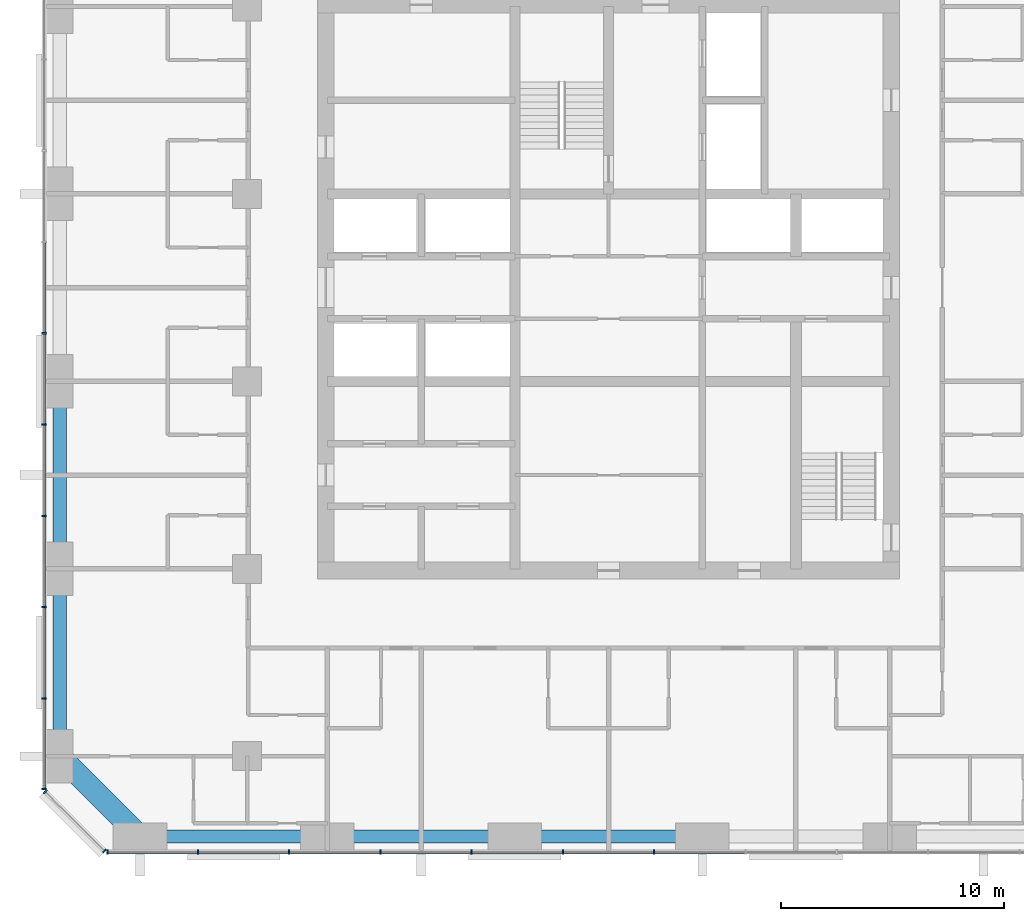
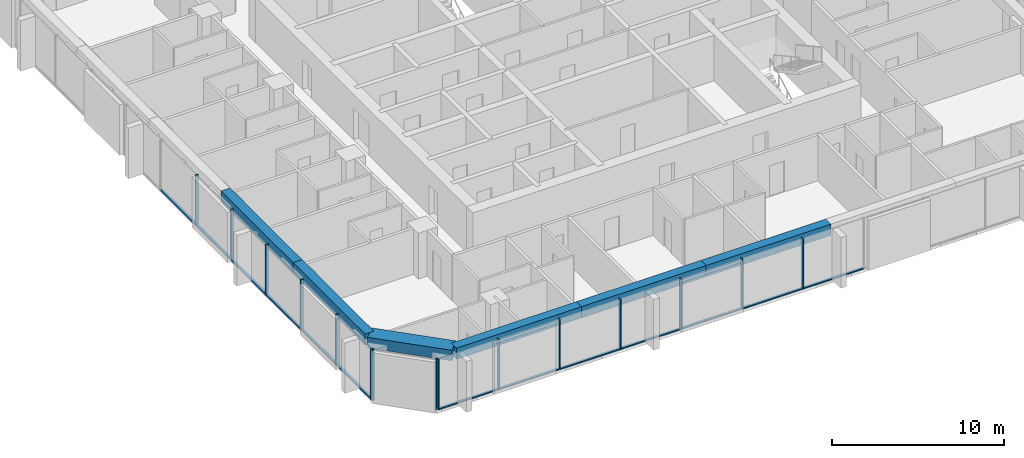
# One storey, part 2 of 13: 28 members, 6 beams, 3 elements without a shape of their own.
"""IFC4 building model written with IfcOpenShell, lengths in metres."""

import ifcopenshell
import ifcopenshell.guid

model = None  # the IFC model being written
_history = None  # IfcOwnerHistory: only IFC2X3 demands one
_inside = {}  # id of a spatial element -> (the spatial element, [elements in it])
_under = {}  # id of a project, library or spatial element -> (it, [spatial elements below it])
_declared = {}  # id of a project -> (the project, [libraries it declares])
_typed = {}  # id of a type object -> (the type object, [elements of that type])
_made_of = {}  # id of a material, layer set ... -> (it, [elements and type objects made of it])


def new_model(schema):
    """Start an empty IFC model of exactly this schema.

    Asked for "IFC4X3", IfcOpenShell would pick the latest addendum, in which some entities
    have other attributes; the version numbers below select the first issue.
    IFC2X3 requires an IfcOwnerHistory on every rooted entity: one is made here for all.
    """
    global model, _history
    if schema == "IFC4X3":
        model = ifcopenshell.file(schema_version=(4, 3, 0, 0))
    else:
        model = ifcopenshell.file(schema=schema)
    _inside.clear()
    _under.clear()
    _declared.clear()
    _typed.clear()
    _made_of.clear()
    _history = None
    if model.schema == "IFC2X3":
        org = make("IfcOrganization", Name="unknown")
        user = make(
            "IfcPersonAndOrganization",
            ThePerson=make("IfcPerson", FamilyName="unknown"),
            TheOrganization=org,
        )
        app = make(
            "IfcApplication",
            ApplicationDeveloper=org,
            Version="unknown",
            ApplicationFullName="unknown",
            ApplicationIdentifier="unknown",
        )
        _history = make(
            "IfcOwnerHistory",
            OwningUser=user,
            OwningApplication=app,
            ChangeAction="ADDED",
            CreationDate=0,
        )
    return model


def make(cls, **values):
    """One entity of the class cls with the attributes given. An attribute that is None is left unset."""
    return model.create_entity(
        cls, **{name: value for name, value in values.items() if value is not None}
    )


def rooted(cls, **values):
    """An entity with a GlobalId (a new one), such as an element, a storey or a relation."""
    return make(cls, GlobalId=ifcopenshell.guid.new(), OwnerHistory=_history, **values)


def si_unit(unit_type, name, prefix=None):
    """IfcSIUnit, for example si_unit("LENGTHUNIT", "METRE", prefix="MILLI")."""
    return make("IfcSIUnit", UnitType=unit_type, Prefix=prefix, Name=name)


def assignment(units):
    """IfcUnitAssignment: the units of a project."""
    return None if units is None else make("IfcUnitAssignment", Units=units)


def point(xyz):
    """IfcCartesianPoint."""
    return None if xyz is None else make("IfcCartesianPoint", Coordinates=xyz)


def direction(xyz):
    """IfcDirection."""
    return None if xyz is None else make("IfcDirection", DirectionRatios=xyz)


def frame(location, z_axis=None, x_axis=None):
    """IfcAxis2Placement3D, a coordinate frame: its origin and axes. An axis left out is left unset."""
    return make(
        "IfcAxis2Placement3D",
        Location=point(location),
        Axis=direction(z_axis),
        RefDirection=direction(x_axis),
    )


def frame_2d(location, x_axis=None):
    """IfcAxis2Placement2D, a coordinate frame in the plane: its origin and x axis."""
    return make(
        "IfcAxis2Placement2D", Location=point(location), RefDirection=direction(x_axis)
    )


def origin():
    """The frame at (0, 0, 0) with its axes left unset."""
    return frame((0.0, 0.0, 0.0))


def origin_2d():
    """The frame at (0, 0) in the plane with its x axis left unset."""
    return frame_2d((0.0, 0.0))


def place(relative_to, where):
    """IfcLocalPlacement: puts the frame where relative to a parent placement (None: the world)."""
    return make(
        "IfcLocalPlacement", PlacementRelTo=relative_to, RelativePlacement=where
    )


def context(
    kind, dimensions, precision=None, world=None, true_north=None, identifier=None
):
    """IfcGeometricRepresentationContext, for example the 3D "Model" context."""
    return make(
        "IfcGeometricRepresentationContext",
        ContextIdentifier=identifier,
        ContextType=kind,
        CoordinateSpaceDimension=dimensions,
        Precision=precision,
        WorldCoordinateSystem=world,
        TrueNorth=true_north,
    )


def subcontext(parent, identifier, kind, view, scale=None):
    """IfcGeometricRepresentationSubContext, for example "Body" below "Model"."""
    return make(
        "IfcGeometricRepresentationSubContext",
        ContextIdentifier=identifier,
        ContextType=kind,
        ParentContext=parent,
        TargetScale=scale,
        TargetView=view,
    )


def project(units=None, contexts=None):
    """IfcProject with its units and contexts."""
    return rooted(
        "IfcProject",
        Name="project",
        RepresentationContexts=contexts,
        UnitsInContext=assignment(units),
    )


def spatial(cls, under=None, at=None, **own):
    """A site, building, storey or space (cls), placed at a placement, below another one or the project."""
    s = rooted(cls, ObjectPlacement=at, **own)
    if under is not None:
        _under.setdefault(under.id(), (under, []))[1].append(s)
    return s


def profile(cls, at=None, kind="AREA", **sizes):
    """A parametric profile (cls). Its sizes go by their IFC names, for example OverallWidth=200.0."""
    return make(cls, ProfileType=kind, Position=at, **sizes)


def rectangle(**sizes):
    """IfcRectangleProfileDef."""
    return profile("IfcRectangleProfileDef", **sizes)


def extrude(swept, where, along, depth):
    """IfcExtrudedAreaSolid: the profile swept, set in the frame where, extruded along a direction by depth."""
    return make(
        "IfcExtrudedAreaSolid",
        SweptArea=swept,
        Position=where,
        ExtrudedDirection=direction(along),
        Depth=depth,
    )


def shape(context_of_items, identifier, shape_type, items):
    """IfcShapeRepresentation: the items that make up one representation, for example the "Body"."""
    return make(
        "IfcShapeRepresentation",
        ContextOfItems=context_of_items,
        RepresentationIdentifier=identifier,
        RepresentationType=shape_type,
        Items=items,
    )


def material(Name=None, Category=None):
    """IfcMaterial."""
    return make("IfcMaterial", Name=Name, Category=Category)


def material_profile(
    of_material, cross_section, Name=None, Category=None, Priority=None
):
    """IfcMaterialProfile: a cross section and its material."""
    return make(
        "IfcMaterialProfile",
        Name=Name,
        Material=of_material,
        Profile=cross_section,
        Priority=Priority,
        Category=Category,
    )


def profile_set(profiles, Name=None, composite=None):
    """IfcMaterialProfileSet."""
    return make(
        "IfcMaterialProfileSet",
        Name=Name,
        MaterialProfiles=profiles,
        CompositeProfile=composite,
    )


def made_of(thing, what):
    """Note that an element or type object is made of a material, layer set ...; save() writes the relation."""
    if what is not None:
        _made_of.setdefault(what.id(), (what, []))[1].append(thing)
    return thing


def type_object(cls, material=None, **own):
    """A type object (cls), such as IfcWallType, which elements share."""
    return made_of(rooted(cls, **own), material)


def element(
    cls,
    number,
    at=None,
    inside=None,
    cuts=None,
    type_object=None,
    material=None,
    context=None,
    identifier="Body",
    shape_type=None,
    held_by="IfcProductDefinitionShape",
    body=None,
    shapes=None,
    **own,
):
    """One element of the class cls, such as IfcWall. Its Tag is "e" and its number.

    at: its placement. inside: the storey or other place that contains it. cuts: it is an
    opening in that element (IfcRelVoidsElement). A single representation is given by context,
    identifier, shape_type and body (its items); several are given by shapes. held_by: the class
    of the entity that holds the representations. save() writes the other relations.
    """
    e = rooted(cls, Tag="e%d" % number, ObjectPlacement=at, **own)
    if body is not None:
        shapes = [shape(context, identifier, shape_type, body)]
    if shapes is not None:
        e.Representation = make(held_by, Representations=shapes)
    if inside is not None:
        _inside.setdefault(inside.id(), (inside, []))[1].append(e)
    if cuts is not None:
        rooted(
            "IfcRelVoidsElement", RelatingBuildingElement=cuts, RelatedOpeningElement=e
        )
    if type_object is not None:
        _typed.setdefault(type_object.id(), (type_object, []))[1].append(e)
    return made_of(e, material)


def aggregate(whole, parts):
    """IfcRelAggregates: a whole, such as a stair, and the parts it consists of."""
    return rooted("IfcRelAggregates", RelatingObject=whole, RelatedObjects=parts)


def save(model, path):
    """Write the relations noted so far, then the file.

    IfcRelAggregates (storeys below a building ...), IfcRelContainedInSpatialStructure (elements
    in a storey), IfcRelDefinesByType, IfcRelAssociatesMaterial and IfcRelDeclares: one each for
    every whole, place, type object, material and project.
    """
    for whole, parts in _under.values():
        aggregate(whole, parts)
    for where, things in _inside.values():
        rooted(
            "IfcRelContainedInSpatialStructure",
            RelatedElements=things,
            RelatingStructure=where,
        )
    for kind, things in _typed.values():
        rooted("IfcRelDefinesByType", RelatedObjects=things, RelatingType=kind)
    for what, things in _made_of.values():
        rooted("IfcRelAssociatesMaterial", RelatedObjects=things, RelatingMaterial=what)
    for by, libraries in _declared.values():
        rooted("IfcRelDeclares", RelatingContext=by, RelatedDefinitions=libraries)
    model.write(path)


model = new_model("IFC4")

# Units and contexts
model_context = context("Model", 3, precision=1e-05, world=origin(), true_north=direction((0.0, 1.0)))
body_context = subcontext(model_context, "Body", "Model", "MODEL_VIEW")
ifc_project = project(units=[si_unit("LENGTHUNIT", "METRE"), si_unit("AREAUNIT", "SQUARE_METRE"), si_unit("VOLUMEUNIT", "CUBIC_METRE"), si_unit("PLANEANGLEUNIT", "RADIAN"), si_unit("MASSUNIT", "GRAM", prefix="KILO")], contexts=[model_context])

# Site, building, storey
site_placement = place(None, origin())
site = spatial("IfcSite", under=ifc_project, at=site_placement, CompositionType="ELEMENT")
building_placement = place(site_placement, origin())
building = spatial("IfcBuilding", under=site, at=building_placement, Name="Dunama Terrace Hotel", CompositionType="ELEMENT")
storey_placement = place(building_placement, frame((0.0, 0.0, 173.39990234375)))
storey = spatial("IfcBuildingStorey", under=building, at=storey_placement, Name="L44", CompositionType="ELEMENT", Elevation=173.39990234375)

# Curtain wall, members
ifc_material_1 = material(Name="Aluminium curtain wall system", Category="aluminium")
curtain_wall_type = type_object("IfcCurtainWallType", Name="Unitised fritted glass wall CW-C", PredefinedType="NOTDEFINED", material=ifc_material_1)
curtain_wall_1_placement = place(storey_placement, origin())
curtain_wall_1 = element("IfcCurtainWall", 1, at=curtain_wall_1_placement, inside=storey, type_object=curtain_wall_type, Name="Unitised fritted glass wall CW-C L44", PredefinedType="NOTDEFINED")
ifc_material_2 = material(Name="Aluminium mullion", Category="aluminium")
ifc_material_profile_1 = material_profile(ifc_material_2, rectangle(XDim=0.070068359375, YDim=0.199951171875, at=origin_2d()), Name="CWC MULLION 70X200")
ifc_profile_set_1 = profile_set([ifc_material_profile_1], Name="Aluminium mullion")
member_type_1 = type_object("IfcMemberType", Name="CWC mullion 70x200", PredefinedType="MULLION", material=ifc_profile_set_1)
member_1_placement = place(storey_placement, frame((6.93505859375, 4.10009765625, 0.0), z_axis=(0.0, 0.0, 1.0), x_axis=(1.0, 0.0, 0.0)))
member_1 = element("IfcMember", 2, at=member_1_placement, type_object=member_type_1, Name="CWC mullion", PredefinedType="MULLION", context=body_context, shape_type="SweptSolid", body=[
    extrude(rectangle(XDim=0.070068359375, YDim=0.199951171875, at=origin_2d()), origin(), (0.0, 0.0, 1.0), 3.60009765625),
])
member_2_placement = place(storey_placement, frame((10.990966796875, 4.10009765625, 0.0), z_axis=(0.0, 0.0, 1.0), x_axis=(1.0, 0.0, 0.0)))
member_2 = element("IfcMember", 3, at=member_2_placement, type_object=member_type_1, Name="CWC mullion", PredefinedType="MULLION", context=body_context, shape_type="SweptSolid", body=[
    extrude(rectangle(XDim=0.070068359375, YDim=0.199951171875, at=origin_2d()), origin(), (0.0, 0.0, 1.0), 3.60009765625),
])
member_3_placement = place(storey_placement, frame((15.08203125, 4.10009765625, 0.0), z_axis=(0.0, 0.0, 1.0), x_axis=(1.0, 0.0, 0.0)))
member_3 = element("IfcMember", 4, at=member_3_placement, type_object=member_type_1, Name="CWC mullion", PredefinedType="MULLION", context=body_context, shape_type="SweptSolid", body=[
    extrude(rectangle(XDim=0.070068359375, YDim=0.199951171875, at=origin_2d()), origin(), (0.0, 0.0, 1.0), 3.60009765625),
])
member_4_placement = place(storey_placement, frame((19.173095703125, 4.10009765625, 0.0), z_axis=(0.0, 0.0, 1.0), x_axis=(1.0, 0.0, 0.0)))
member_4 = element("IfcMember", 5, at=member_4_placement, type_object=member_type_1, Name="CWC mullion", PredefinedType="MULLION", context=body_context, shape_type="SweptSolid", body=[
    extrude(rectangle(XDim=0.070068359375, YDim=0.199951171875, at=origin_2d()), origin(), (0.0, 0.0, 1.0), 3.60009765625),
])
member_5_placement = place(storey_placement, frame((23.263916015625, 4.10009765625, 0.0), z_axis=(0.0, 0.0, 1.0), x_axis=(1.0, 0.0, 0.0)))
member_5 = element("IfcMember", 6, at=member_5_placement, type_object=member_type_1, Name="CWC mullion", PredefinedType="MULLION", context=body_context, shape_type="SweptSolid", body=[
    extrude(rectangle(XDim=0.070068359375, YDim=0.199951171875, at=origin_2d()), origin(), (0.0, 0.0, 1.0), 3.60009765625),
])
member_6_placement = place(storey_placement, frame((27.35498046875, 4.10009765625, 0.0), z_axis=(0.0, 0.0, 1.0), x_axis=(1.0, 0.0, 0.0)))
member_6 = element("IfcMember", 7, at=member_6_placement, type_object=member_type_1, Name="CWC mullion", PredefinedType="MULLION", context=body_context, shape_type="SweptSolid", body=[
    extrude(rectangle(XDim=0.070068359375, YDim=0.199951171875, at=origin_2d()), origin(), (0.0, 0.0, 1.0), 3.60009765625),
])
member_7_placement = place(storey_placement, frame((31.445068359375, 4.10009765625, 0.0), z_axis=(0.0, 0.0, 1.0), x_axis=(1.0, 0.0, 0.0)))
member_7 = element("IfcMember", 8, at=member_7_placement, type_object=member_type_1, Name="CWC mullion", PredefinedType="MULLION", context=body_context, shape_type="SweptSolid", body=[
    extrude(rectangle(XDim=0.070068359375, YDim=0.199951171875, at=origin_2d()), origin(), (0.0, 0.0, 1.0), 3.60009765625),
])

curtain_wall_2_placement = place(storey_placement, origin())
curtain_wall_2 = element("IfcCurtainWall", 9, at=curtain_wall_2_placement, inside=storey, type_object=curtain_wall_type, Name="Unitised fritted glass wall CW-C L44", PredefinedType="NOTDEFINED")
member_8_placement = place(storey_placement, frame((4.10009765625, 27.35498046875, 0.0), z_axis=(0.0, 0.0, 1.0), x_axis=(0.0, -1.0, 0.0)))
member_8 = element("IfcMember", 10, at=member_8_placement, type_object=member_type_1, Name="CWC mullion", PredefinedType="MULLION", context=body_context, shape_type="SweptSolid", body=[
    extrude(rectangle(XDim=0.070068359375, YDim=0.199951171875, at=origin_2d()), origin(), (0.0, 0.0, 1.0), 3.60009765625),
])
member_9_placement = place(storey_placement, frame((4.10009765625, 23.263916015625, 0.0), z_axis=(0.0, 0.0, 1.0), x_axis=(0.0, -1.0, 0.0)))
member_9 = element("IfcMember", 11, at=member_9_placement, type_object=member_type_1, Name="CWC mullion", PredefinedType="MULLION", context=body_context, shape_type="SweptSolid", body=[
    extrude(rectangle(XDim=0.070068359375, YDim=0.199951171875, at=origin_2d()), origin(), (0.0, 0.0, 1.0), 3.60009765625),
])
member_10_placement = place(storey_placement, frame((4.10009765625, 19.173095703125, 0.0), z_axis=(0.0, 0.0, 1.0), x_axis=(0.0, -1.0, 0.0)))
member_10 = element("IfcMember", 12, at=member_10_placement, type_object=member_type_1, Name="CWC mullion", PredefinedType="MULLION", context=body_context, shape_type="SweptSolid", body=[
    extrude(rectangle(XDim=0.070068359375, YDim=0.199951171875, at=origin_2d()), origin(), (0.0, 0.0, 1.0), 3.60009765625),
])
member_11_placement = place(storey_placement, frame((4.10009765625, 15.08203125, 0.0), z_axis=(0.0, 0.0, 1.0), x_axis=(0.0, -1.0, 0.0)))
member_11 = element("IfcMember", 13, at=member_11_placement, type_object=member_type_1, Name="CWC mullion", PredefinedType="MULLION", context=body_context, shape_type="SweptSolid", body=[
    extrude(rectangle(XDim=0.070068359375, YDim=0.199951171875, at=origin_2d()), origin(), (0.0, 0.0, 1.0), 3.60009765625),
])
member_12_placement = place(storey_placement, frame((4.10009765625, 10.990966796875, 0.0), z_axis=(0.0, 0.0, 1.0), x_axis=(0.0, -1.0, 0.0)))
member_12 = element("IfcMember", 14, at=member_12_placement, type_object=member_type_1, Name="CWC mullion", PredefinedType="MULLION", context=body_context, shape_type="SweptSolid", body=[
    extrude(rectangle(XDim=0.070068359375, YDim=0.199951171875, at=origin_2d()), origin(), (0.0, 0.0, 1.0), 3.60009765625),
])
member_13_placement = place(storey_placement, frame((4.10009765625, 6.93505859375, 0.0), z_axis=(0.0, 0.0, 1.0), x_axis=(0.0, -1.0, 0.0)))
member_13 = element("IfcMember", 15, at=member_13_placement, type_object=member_type_1, Name="CWC mullion", PredefinedType="MULLION", context=body_context, shape_type="SweptSolid", body=[
    extrude(rectangle(XDim=0.070068359375, YDim=0.199951171875, at=origin_2d()), origin(), (0.0, 0.0, 1.0), 3.60009765625),
])

curtain_wall_3_placement = place(storey_placement, origin())
curtain_wall_3 = element("IfcCurtainWall", 16, at=curtain_wall_3_placement, inside=storey, type_object=curtain_wall_type, Name="Unitised fritted glass wall CW-C L44", PredefinedType="NOTDEFINED")
member_14_placement = place(storey_placement, frame((4.154052734375, 6.804931640625, 0.0), z_axis=(0.0, 0.0, 1.0), x_axis=(0.707106781187, -0.707106781187, 0.0)))
member_14 = element("IfcMember", 17, at=member_14_placement, type_object=member_type_1, Name="CWC mullion", PredefinedType="MULLION", context=body_context, shape_type="SweptSolid", body=[
    extrude(rectangle(XDim=0.070068359375, YDim=0.199951171875, at=origin_2d()), origin(), (0.0, 0.0, 1.0), 3.60009765625),
])
member_15_placement = place(storey_placement, frame((6.804931640625, 4.154052734375, 0.0), z_axis=(0.0, 0.0, 1.0), x_axis=(0.707106781187, -0.707106781187, 0.0)))
member_15 = element("IfcMember", 18, at=member_15_placement, type_object=member_type_1, Name="CWC mullion", PredefinedType="MULLION", context=body_context, shape_type="SweptSolid", body=[
    extrude(rectangle(XDim=0.070068359375, YDim=0.199951171875, at=origin_2d()), origin(), (0.0, 0.0, 1.0), 3.60009765625),
])
aggregate(curtain_wall_3, [member_14, member_15])

# Member
ifc_material_3 = material(Name="Aluminium transom", Category="aluminium")
ifc_material_profile_2 = material_profile(ifc_material_3, rectangle(XDim=0.159912109375, YDim=0.080078125, at=origin_2d()), Name="CWC TRANSOM 160X80")
ifc_profile_set_2 = profile_set([ifc_material_profile_2], Name="Aluminium transom")
member_type_2 = type_object("IfcMemberType", Name="CWC transom 160x80", PredefinedType="USERDEFINED", material=ifc_profile_set_2)
member_16_placement = place(storey_placement, frame((6.969970703125, 4.10009765625, 0.0400390625), z_axis=(1.0, 0.0, 0.0), x_axis=(0.0, 1.0, 0.0)))
member_16 = element("IfcMember", 19, at=member_16_placement, type_object=member_type_2, Name="CWC transom", ObjectType="TRANSOM", PredefinedType="USERDEFINED", context=body_context, shape_type="SweptSolid", body=[
    extrude(rectangle(XDim=0.159912109375, YDim=0.080078125, at=origin_2d()), origin(), (0.0, 0.0, 1.0), 3.986083984375),
])

member_17_placement = place(storey_placement, frame((11.02587890625, 4.10009765625, 0.0400390625), z_axis=(1.0, 0.0, 0.0), x_axis=(0.0, 1.0, 0.0)))
member_17 = element("IfcMember", 20, at=member_17_placement, type_object=member_type_2, Name="CWC transom", ObjectType="TRANSOM", PredefinedType="USERDEFINED", context=body_context, shape_type="SweptSolid", body=[
    extrude(rectangle(XDim=0.159912109375, YDim=0.080078125, at=origin_2d()), origin(), (0.0, 0.0, 1.0), 4.021240234375),
])

member_18_placement = place(storey_placement, frame((15.116943359375, 4.10009765625, 0.0400390625), z_axis=(1.0, 0.0, 0.0), x_axis=(0.0, 1.0, 0.0)))
member_18 = element("IfcMember", 21, at=member_18_placement, type_object=member_type_2, Name="CWC transom", ObjectType="TRANSOM", PredefinedType="USERDEFINED", context=body_context, shape_type="SweptSolid", body=[
    extrude(rectangle(XDim=0.159912109375, YDim=0.080078125, at=origin_2d()), origin(), (0.0, 0.0, 1.0), 4.02099609375),
])

member_19_placement = place(storey_placement, frame((19.2080078125, 4.10009765625, 0.0400390625), z_axis=(1.0, 0.0, 0.0), x_axis=(0.0, 1.0, 0.0)))
member_19 = element("IfcMember", 22, at=member_19_placement, type_object=member_type_2, Name="CWC transom", ObjectType="TRANSOM", PredefinedType="USERDEFINED", context=body_context, shape_type="SweptSolid", body=[
    extrude(rectangle(XDim=0.159912109375, YDim=0.080078125, at=origin_2d()), origin(), (0.0, 0.0, 1.0), 4.02099609375),
])

member_20_placement = place(storey_placement, frame((23.299072265625, 4.10009765625, 0.0400390625), z_axis=(1.0, 0.0, 0.0), x_axis=(0.0, 1.0, 0.0)))
member_20 = element("IfcMember", 23, at=member_20_placement, type_object=member_type_2, Name="CWC transom", ObjectType="TRANSOM", PredefinedType="USERDEFINED", context=body_context, shape_type="SweptSolid", body=[
    extrude(rectangle(XDim=0.159912109375, YDim=0.080078125, at=origin_2d()), origin(), (0.0, 0.0, 1.0), 4.02099609375),
])

member_21_placement = place(storey_placement, frame((27.389892578125, 4.10009765625, 0.0400390625), z_axis=(1.0, 0.0, 0.0), x_axis=(0.0, 1.0, 0.0)))
member_21 = element("IfcMember", 24, at=member_21_placement, type_object=member_type_2, Name="CWC transom", ObjectType="TRANSOM", PredefinedType="USERDEFINED", context=body_context, shape_type="SweptSolid", body=[
    extrude(rectangle(XDim=0.159912109375, YDim=0.080078125, at=origin_2d()), origin(), (0.0, 0.0, 1.0), 4.02001953125),
])

member_22_placement = place(storey_placement, frame((31.47998046875, 4.10009765625, 0.0400390625), z_axis=(1.0, 0.0, 0.0), x_axis=(0.0, 1.0, 0.0)))
member_22 = element("IfcMember", 25, at=member_22_placement, type_object=member_type_2, Name="CWC transom", ObjectType="TRANSOM", PredefinedType="USERDEFINED", context=body_context, shape_type="SweptSolid", body=[
    extrude(rectangle(XDim=0.159912109375, YDim=0.080078125, at=origin_2d()), origin(), (0.0, 0.0, 1.0), 4.02099609375),
])

aggregate(curtain_wall_1, [member_1, member_2, member_3, member_4, member_5, member_6, member_7, member_16, member_17, member_18, member_19, member_20, member_21, member_22])

member_23_placement = place(storey_placement, frame((4.10009765625, 31.409912109375, 0.0400390625), z_axis=(0.0, -1.0, 0.0), x_axis=(1.0, 0.0, 0.0)))
member_23 = element("IfcMember", 26, at=member_23_placement, type_object=member_type_2, Name="CWC transom", ObjectType="TRANSOM", PredefinedType="USERDEFINED", context=body_context, shape_type="SweptSolid", body=[
    extrude(rectangle(XDim=0.159912109375, YDim=0.080078125, at=origin_2d()), origin(), (0.0, 0.0, 1.0), 4.02001953125),
])

member_24_placement = place(storey_placement, frame((4.10009765625, 27.320068359375, 0.0400390625), z_axis=(0.0, -1.0, 0.0), x_axis=(1.0, 0.0, 0.0)))
member_24 = element("IfcMember", 27, at=member_24_placement, type_object=member_type_2, Name="CWC transom", ObjectType="TRANSOM", PredefinedType="USERDEFINED", context=body_context, shape_type="SweptSolid", body=[
    extrude(rectangle(XDim=0.159912109375, YDim=0.080078125, at=origin_2d()), origin(), (0.0, 0.0, 1.0), 4.02099609375),
])

member_25_placement = place(storey_placement, frame((4.10009765625, 23.22900390625, 0.0400390625), z_axis=(0.0, -1.0, 0.0), x_axis=(1.0, 0.0, 0.0)))
member_25 = element("IfcMember", 28, at=member_25_placement, type_object=member_type_2, Name="CWC transom", ObjectType="TRANSOM", PredefinedType="USERDEFINED", context=body_context, shape_type="SweptSolid", body=[
    extrude(rectangle(XDim=0.159912109375, YDim=0.080078125, at=origin_2d()), origin(), (0.0, 0.0, 1.0), 4.02099609375),
])

member_26_placement = place(storey_placement, frame((4.10009765625, 19.137939453125, 0.0400390625), z_axis=(0.0, -1.0, 0.0), x_axis=(1.0, 0.0, 0.0)))
member_26 = element("IfcMember", 29, at=member_26_placement, type_object=member_type_2, Name="CWC transom", ObjectType="TRANSOM", PredefinedType="USERDEFINED", context=body_context, shape_type="SweptSolid", body=[
    extrude(rectangle(XDim=0.159912109375, YDim=0.080078125, at=origin_2d()), origin(), (0.0, 0.0, 1.0), 4.02099609375),
])

member_27_placement = place(storey_placement, frame((4.10009765625, 15.047119140625, 0.0400390625), z_axis=(0.0, -1.0, 0.0), x_axis=(1.0, 0.0, 0.0)))
member_27 = element("IfcMember", 30, at=member_27_placement, type_object=member_type_2, Name="CWC transom", ObjectType="TRANSOM", PredefinedType="USERDEFINED", context=body_context, shape_type="SweptSolid", body=[
    extrude(rectangle(XDim=0.159912109375, YDim=0.080078125, at=origin_2d()), origin(), (0.0, 0.0, 1.0), 4.021240234375),
])

member_28_placement = place(storey_placement, frame((4.10009765625, 10.9560546875, 0.0400390625), z_axis=(0.0, -1.0, 0.0), x_axis=(1.0, 0.0, 0.0)))
member_28 = element("IfcMember", 31, at=member_28_placement, type_object=member_type_2, Name="CWC transom", ObjectType="TRANSOM", PredefinedType="USERDEFINED", context=body_context, shape_type="SweptSolid", body=[
    extrude(rectangle(XDim=0.159912109375, YDim=0.080078125, at=origin_2d()), origin(), (0.0, 0.0, 1.0), 3.986083984375),
])

aggregate(curtain_wall_2, [member_8, member_9, member_10, member_11, member_12, member_13, member_23, member_24, member_25, member_26, member_27, member_28])

# Beams
ifc_material_4 = material(Name="Concrete C50/60", Category="concrete")
ifc_material_profile_3 = material_profile(ifc_material_4, rectangle(XDim=1.0, YDim=0.75, at=origin_2d()), Name="RC 1000x750")
ifc_profile_set_3 = profile_set([ifc_material_profile_3], Name="Concrete C50/60")
beam_type_1 = type_object("IfcBeamType", Name="Edge beam RC 1000x750", PredefinedType="SPANDREL", material=ifc_profile_set_3)
beam_1_placement = place(storey_placement, frame((8.39990234375, 4.800048828125, 3.22509765625), z_axis=(-0.707106781187, 0.707106781187, 0.0), x_axis=(-0.707106781187, -0.707106781187, 0.0)))
element("IfcBeam", 32, at=beam_1_placement, inside=storey, type_object=beam_type_1, Name="Corner edge beam under L45", PredefinedType="SPANDREL", context=body_context, shape_type="SweptSolid", body=[
    extrude(rectangle(XDim=1.0, YDim=0.75, at=origin_2d()), origin(), (0.0, 0.0, 1.0), 5.091064453125),
])
ifc_material_5 = material(Name="Concrete C40/50", Category="concrete")
ifc_material_profile_4 = material_profile(ifc_material_5, rectangle(XDim=0.60009765625, YDim=0.800048828125, at=origin_2d()), Name="RC 600x800")
ifc_profile_set_4 = profile_set([ifc_material_profile_4], Name="Concrete C40/50")
beam_type_2 = type_object("IfcBeamType", Name="Edge beam RC 600x800", PredefinedType="SPANDREL", material=ifc_profile_set_4)
beam_2_placement = place(storey_placement, frame((4.800048828125, 8.39990234375, 3.2001953125), z_axis=(0.0, 1.0, 0.0), x_axis=(-1.0, 0.0, 0.0)))
element("IfcBeam", 33, at=beam_2_placement, inside=storey, type_object=beam_type_2, Name="Edge beam under L45", PredefinedType="SPANDREL", context=body_context, shape_type="SweptSolid", body=[
    extrude(rectangle(XDim=0.60009765625, YDim=0.800048828125, at=origin_2d()), origin(), (0.0, 0.0, 1.0), 8.400146484375),
])
beam_3_placement = place(storey_placement, frame((4.800048828125, 16.800048828125, 3.2001953125), z_axis=(0.0, 1.0, 0.0), x_axis=(-1.0, 0.0, 0.0)))
element("IfcBeam", 34, at=beam_3_placement, inside=storey, type_object=beam_type_2, Name="Edge beam under L45", PredefinedType="SPANDREL", context=body_context, shape_type="SweptSolid", body=[
    extrude(rectangle(XDim=0.60009765625, YDim=0.800048828125, at=origin_2d()), origin(), (0.0, 0.0, 1.0), 8.39990234375),
])
beam_4_placement = place(storey_placement, frame((8.39990234375, 4.800048828125, 3.2001953125), z_axis=(1.0, 0.0, 0.0), x_axis=(0.0, 1.0, 0.0)))
element("IfcBeam", 35, at=beam_4_placement, inside=storey, type_object=beam_type_2, Name="Edge beam under L45", PredefinedType="SPANDREL", context=body_context, shape_type="SweptSolid", body=[
    extrude(rectangle(XDim=0.60009765625, YDim=0.800048828125, at=origin_2d()), origin(), (0.0, 0.0, 1.0), 8.400146484375),
])
beam_5_placement = place(storey_placement, frame((16.800048828125, 4.800048828125, 3.2001953125), z_axis=(1.0, 0.0, 0.0), x_axis=(0.0, 1.0, 0.0)))
element("IfcBeam", 36, at=beam_5_placement, inside=storey, type_object=beam_type_2, Name="Edge beam under L45", PredefinedType="SPANDREL", context=body_context, shape_type="SweptSolid", body=[
    extrude(rectangle(XDim=0.60009765625, YDim=0.800048828125, at=origin_2d()), origin(), (0.0, 0.0, 1.0), 8.39990234375),
])
beam_6_placement = place(storey_placement, frame((25.199951171875, 4.800048828125, 3.2001953125), z_axis=(1.0, 0.0, 0.0), x_axis=(0.0, 1.0, 0.0)))
element("IfcBeam", 37, at=beam_6_placement, inside=storey, type_object=beam_type_2, Name="Edge beam under L45", PredefinedType="SPANDREL", context=body_context, shape_type="SweptSolid", body=[
    extrude(rectangle(XDim=0.60009765625, YDim=0.800048828125, at=origin_2d()), origin(), (0.0, 0.0, 1.0), 8.400146484375),
])

save(model, "model.ifc")
